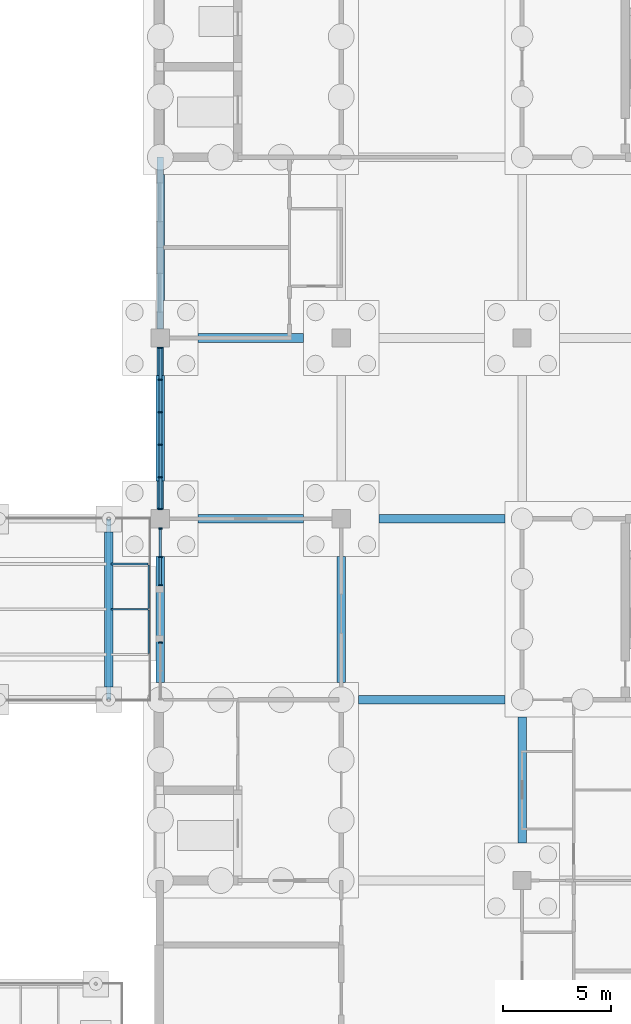
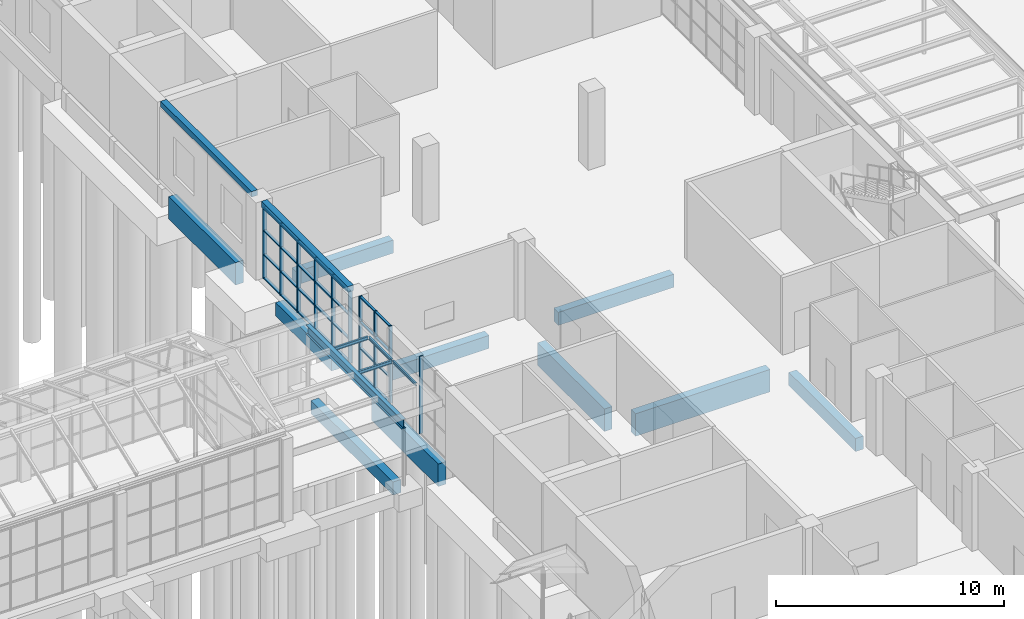
# One storey, part 68 of 138: 38 members, 17 beams, 3 elements without a shape of their own.
"""IFC4 building model written with IfcOpenShell, lengths in metres."""

from ifc_helpers import new_model, si_unit, direction, frame, origin, origin_2d, place, context, subcontext, project, spatial, rectangle, i_section, extrude, material, material_profile, profile_set, type_object, element, aggregate, save


model = new_model("IFC4")

# Units and contexts
model_context = context("Model", 3, precision=1e-05, world=origin(), true_north=direction((0.0, 1.0)))
body_context = subcontext(model_context, "Body", "Model", "MODEL_VIEW")
ifc_project = project(units=[si_unit("LENGTHUNIT", "METRE"), si_unit("AREAUNIT", "SQUARE_METRE"), si_unit("VOLUMEUNIT", "CUBIC_METRE"), si_unit("PLANEANGLEUNIT", "RADIAN"), si_unit("MASSUNIT", "GRAM", prefix="KILO")], contexts=[model_context])

# Site, building, storey
site_placement = place(None, origin())
site = spatial("IfcSite", under=ifc_project, at=site_placement, CompositionType="ELEMENT")
building_placement = place(site_placement, origin())
building = spatial("IfcBuilding", under=site, at=building_placement, Name="Yavir Park General Hospital", CompositionType="ELEMENT")
storey_placement = place(building_placement, origin())
storey = spatial("IfcBuildingStorey", under=building, at=storey_placement, Name="L00", CompositionType="ELEMENT", Elevation=0.0)

# Curtain wall, member
ifc_material_1 = material(Name="Aluminium curtain wall frame with insulated glazing", Category="aluminium")
curtain_wall_type_1 = type_object("IfcCurtainWallType", Name="Emergency walk-in glazing, 4140 high, 1400 module", PredefinedType="NOTDEFINED", material=ifc_material_1)
curtain_wall_1_placement = place(storey_placement, origin())
curtain_wall_1 = element("IfcCurtainWall", 1, at=curtain_wall_1_placement, inside=storey, type_object=curtain_wall_type_1, Name="CW5 L00-069", PredefinedType="NOTDEFINED")
ifc_material_2 = material(Name="Aluminium", Category="aluminium")
ifc_material_profile_1 = material_profile(ifc_material_2, rectangle(XDim=0.159912109375, YDim=0.06005859375, at=origin_2d()), Name="AL 60x160")
ifc_profile_set_1 = profile_set([ifc_material_profile_1], Name="Aluminium")
member_type_1 = type_object("IfcMemberType", Name="Emergency walk-in glazing, 4140 high mullion 60 x 160", PredefinedType="MULLION", material=ifc_profile_set_1)
member_1_placement = place(storey_placement, frame((142.800048828125, 53.0576171875, 0.0), z_axis=(0.0, 0.0, 1.0), x_axis=(-1.0, 0.0, 0.0)))
member_1 = element("IfcMember", 2, at=member_1_placement, type_object=member_type_1, Name="CW5 mullion 3", PredefinedType="MULLION", context=body_context, shape_type="SweptSolid", body=[
    extrude(rectangle(XDim=0.159912109375, YDim=0.06005859375, at=origin_2d()), origin(), (0.0, 0.0, 1.0), 4.139892578125),
])
aggregate(curtain_wall_1, [member_1])

# Curtain wall, members
curtain_wall_2_placement = place(storey_placement, origin())
curtain_wall_2 = element("IfcCurtainWall", 3, at=curtain_wall_2_placement, inside=storey, type_object=curtain_wall_type_1, Name="CW5 L00-070", PredefinedType="NOTDEFINED")
member_2_placement = place(storey_placement, frame((142.800048828125, 55.717529296875, 0.0), z_axis=(0.0, 0.0, 1.0), x_axis=(-1.0, 0.0, 0.0)))
member_2 = element("IfcMember", 4, at=member_2_placement, type_object=member_type_1, Name="CW5 mullion 1", PredefinedType="MULLION", context=body_context, shape_type="SweptSolid", body=[
    extrude(rectangle(XDim=0.159912109375, YDim=0.06005859375, at=origin_2d()), origin(), (0.0, 0.0, 1.0), 4.139892578125),
])
member_3_placement = place(storey_placement, frame((142.800048828125, 57.03125, 0.0), z_axis=(0.0, 0.0, 1.0), x_axis=(-1.0, 0.0, 0.0)))
member_3 = element("IfcMember", 5, at=member_3_placement, type_object=member_type_1, Name="CW5 mullion 2", PredefinedType="MULLION", context=body_context, shape_type="SweptSolid", body=[
    extrude(rectangle(XDim=0.159912109375, YDim=0.06005859375, at=origin_2d()), origin(), (0.0, 0.0, 1.0), 4.139892578125),
])
member_4_placement = place(storey_placement, frame((142.800048828125, 58.344970703125, 0.0), z_axis=(0.0, 0.0, 1.0), x_axis=(-1.0, 0.0, 0.0)))
member_4 = element("IfcMember", 6, at=member_4_placement, type_object=member_type_1, Name="CW5 mullion 3", PredefinedType="MULLION", context=body_context, shape_type="SweptSolid", body=[
    extrude(rectangle(XDim=0.159912109375, YDim=0.06005859375, at=origin_2d()), origin(), (0.0, 0.0, 1.0), 4.139892578125),
])
ifc_material_3 = material(Name="Aluminium", Category="aluminium")
ifc_material_profile_2 = material_profile(ifc_material_3, rectangle(XDim=0.1201171875, YDim=0.06005859375, at=origin_2d()), Name="AL 120x60")
ifc_profile_set_2 = profile_set([ifc_material_profile_2], Name="Aluminium")
member_type_2 = type_object("IfcMemberType", Name="Emergency walk-in glazing, 4140 high transom 60 x 120", PredefinedType="MULLION", material=ifc_profile_set_2)
member_5_placement = place(storey_placement, frame((142.800048828125, 55.74755859375, 0.030029296875), z_axis=(0.0, 1.0, 0.0), x_axis=(-1.0, 0.0, 0.0)))
member_5 = element("IfcMember", 7, at=member_5_placement, type_object=member_type_2, Name="CW5 transom 1.1", PredefinedType="MULLION", context=body_context, shape_type="SweptSolid", body=[
    extrude(rectangle(XDim=0.1201171875, YDim=0.06005859375, at=origin_2d()), origin(), (0.0, 0.0, 1.0), 1.253662109375),
])
member_6_placement = place(storey_placement, frame((142.800048828125, 55.74755859375, 1.3798828125), z_axis=(0.0, 1.0, 0.0), x_axis=(-1.0, 0.0, 0.0)))
member_6 = element("IfcMember", 8, at=member_6_placement, type_object=member_type_2, Name="CW5 transom 1.2", PredefinedType="MULLION", context=body_context, shape_type="SweptSolid", body=[
    extrude(rectangle(XDim=0.1201171875, YDim=0.06005859375, at=origin_2d()), origin(), (0.0, 0.0, 1.0), 1.253662109375),
])
member_7_placement = place(storey_placement, frame((142.800048828125, 55.74755859375, 2.760009765625), z_axis=(0.0, 1.0, 0.0), x_axis=(-1.0, 0.0, 0.0)))
member_7 = element("IfcMember", 9, at=member_7_placement, type_object=member_type_2, Name="CW5 transom 1.3", PredefinedType="MULLION", context=body_context, shape_type="SweptSolid", body=[
    extrude(rectangle(XDim=0.1201171875, YDim=0.06005859375, at=origin_2d()), origin(), (0.0, 0.0, 1.0), 1.253662109375),
])
member_8_placement = place(storey_placement, frame((142.800048828125, 55.74755859375, 4.110107421875), z_axis=(0.0, 1.0, 0.0), x_axis=(-1.0, 0.0, 0.0)))
member_8 = element("IfcMember", 10, at=member_8_placement, type_object=member_type_2, Name="CW5 transom 1.4", PredefinedType="MULLION", context=body_context, shape_type="SweptSolid", body=[
    extrude(rectangle(XDim=0.1201171875, YDim=0.06005859375, at=origin_2d()), origin(), (0.0, 0.0, 1.0), 1.253662109375),
])
member_9_placement = place(storey_placement, frame((142.800048828125, 57.061279296875, 0.030029296875), z_axis=(0.0, 1.0, 0.0), x_axis=(-1.0, 0.0, 0.0)))
member_9 = element("IfcMember", 11, at=member_9_placement, type_object=member_type_2, Name="CW5 transom 2.1", PredefinedType="MULLION", context=body_context, shape_type="SweptSolid", body=[
    extrude(rectangle(XDim=0.1201171875, YDim=0.06005859375, at=origin_2d()), origin(), (0.0, 0.0, 1.0), 1.253662109375),
])
member_10_placement = place(storey_placement, frame((142.800048828125, 57.061279296875, 1.3798828125), z_axis=(0.0, 1.0, 0.0), x_axis=(-1.0, 0.0, 0.0)))
member_10 = element("IfcMember", 12, at=member_10_placement, type_object=member_type_2, Name="CW5 transom 2.2", PredefinedType="MULLION", context=body_context, shape_type="SweptSolid", body=[
    extrude(rectangle(XDim=0.1201171875, YDim=0.06005859375, at=origin_2d()), origin(), (0.0, 0.0, 1.0), 1.253662109375),
])
member_11_placement = place(storey_placement, frame((142.800048828125, 57.061279296875, 2.760009765625), z_axis=(0.0, 1.0, 0.0), x_axis=(-1.0, 0.0, 0.0)))
member_11 = element("IfcMember", 13, at=member_11_placement, type_object=member_type_2, Name="CW5 transom 2.3", PredefinedType="MULLION", context=body_context, shape_type="SweptSolid", body=[
    extrude(rectangle(XDim=0.1201171875, YDim=0.06005859375, at=origin_2d()), origin(), (0.0, 0.0, 1.0), 1.253662109375),
])
member_12_placement = place(storey_placement, frame((142.800048828125, 57.061279296875, 4.110107421875), z_axis=(0.0, 1.0, 0.0), x_axis=(-1.0, 0.0, 0.0)))
member_12 = element("IfcMember", 14, at=member_12_placement, type_object=member_type_2, Name="CW5 transom 2.4", PredefinedType="MULLION", context=body_context, shape_type="SweptSolid", body=[
    extrude(rectangle(XDim=0.1201171875, YDim=0.06005859375, at=origin_2d()), origin(), (0.0, 0.0, 1.0), 1.253662109375),
])
aggregate(curtain_wall_2, [member_2, member_3, member_4, member_5, member_6, member_7, member_8, member_9, member_10, member_11, member_12])

# Beams
ifc_material_4 = material(Name="Steel S355", Category="steel")
ifc_material_profile_3 = material_profile(ifc_material_4, i_section(OverallWidth=0.08203125, OverallDepth=0.159912109375, WebThickness=0.0048828125, FlangeThickness=0.00732421875, FilletRadius=0.009033203125, at=origin_2d()), Name="IPE160")
ifc_profile_set_3 = profile_set([ifc_material_profile_3], Name="Steel S355")
beam_type_1 = type_object("IfcBeamType", Name="IPE 160 edge trimmer, up to 2.5 m span", PredefinedType="BEAM", material=ifc_profile_set_3)
beam_1_placement = place(storey_placement, frame((142.259033203125, 52.541015625, 3.1201171875), z_axis=(0.0, 1.0, 0.0), x_axis=(-1.0, 0.0, 0.0)))
element("IfcBeam", 15, at=beam_1_placement, inside=storey, type_object=beam_type_1, Name="B:EDW:T1", PredefinedType="BEAM", context=body_context, shape_type="SweptSolid", body=[
    extrude(i_section(OverallWidth=0.08203125, OverallDepth=0.159912109375, WebThickness=0.0048828125, FlangeThickness=0.00732421875, FilletRadius=0.009033203125, at=origin_2d()), origin(), (0.0, 0.0, 1.0), 2.01806640625),
])
beam_2_placement = place(storey_placement, frame((142.259033203125, 54.64111328125, 3.1201171875), z_axis=(0.0, 1.0, 0.0), x_axis=(-1.0, 0.0, 0.0)))
element("IfcBeam", 16, at=beam_2_placement, inside=storey, type_object=beam_type_1, Name="B:EDW:T2", PredefinedType="BEAM", context=body_context, shape_type="SweptSolid", body=[
    extrude(i_section(OverallWidth=0.08203125, OverallDepth=0.159912109375, WebThickness=0.0048828125, FlangeThickness=0.00732421875, FilletRadius=0.009033203125, at=origin_2d()), origin(), (0.0, 0.0, 1.0), 2.017822265625),
])
ifc_material_5 = material(Name="Steel S355", Category="steel")
ifc_material_profile_4 = material_profile(ifc_material_5, i_section(OverallWidth=0.091064453125, OverallDepth=0.179931640625, WebThickness=0.00537109375, FlangeThickness=0.008056640625, FilletRadius=0.009033203125, at=origin_2d()), Name="IPE180")
ifc_profile_set_4 = profile_set([ifc_material_profile_4], Name="Steel S355")
beam_type_2 = type_object("IfcBeamType", Name="IPE 180 cantilever secondary beam, up to 2 m", PredefinedType="JOIST", material=ifc_profile_set_4)
for number, where, z_axis, x_axis, name in (
    (17, (142.218017578125, 54.60009765625, 3.110107421875), (-1.0, 0.0, 0.0), (0.0, -1.0, 0.0), "B:EDW:J2-0"),
    (18, (142.218017578125, 56.699951171875, 3.110107421875), (-1.0, 0.0, 0.0), (0.0, -1.0, 0.0), "B:EDW:J3-0"),
):
    element("IfcBeam", number, at=place(storey_placement, frame(where, z_axis=z_axis, x_axis=x_axis)), inside=storey, type_object=beam_type_2, Name=name, PredefinedType="JOIST", context=body_context, shape_type="SweptSolid", body=[
        extrude(i_section(OverallWidth=0.091064453125, OverallDepth=0.179931640625, WebThickness=0.00537109375, FlangeThickness=0.008056640625, FilletRadius=0.009033203125, at=origin_2d()), origin(), (0.0, 0.0, 1.0), 1.718017578125),
    ])
ifc_material_6 = material(Name="Steel S355", Category="steel")
ifc_material_profile_5 = material_profile(ifc_material_6, i_section(OverallWidth=0.199951171875, OverallDepth=0.5, WebThickness=0.01025390625, FlangeThickness=0.01611328125, FilletRadius=0.02099609375, at=origin_2d()), Name="IPE500")
ifc_profile_set_5 = profile_set([ifc_material_profile_5], Name="Steel S355")
beam_type_3 = type_object("IfcBeamType", Name="IPE 500 main beam, inner row, up to 8.5 m span", PredefinedType="BEAM", material=ifc_profile_set_5)
beam_3_placement = place(storey_placement, frame((140.39990234375, 50.39990234375, 2.949951171875), z_axis=(0.0, 1.0, 0.0), x_axis=(-1.0, 0.0, 0.0)))
element("IfcBeam", 19, at=beam_3_placement, inside=storey, type_object=beam_type_3, Name="B:EDW:M00", PredefinedType="BEAM", context=body_context, shape_type="SweptSolid", body=[
    extrude(i_section(OverallWidth=0.199951171875, OverallDepth=0.5, WebThickness=0.01025390625, FlangeThickness=0.01611328125, FilletRadius=0.02099609375, at=origin_2d()), origin(), (0.0, 0.0, 1.0), 8.400146484375),
])
ifc_material_7 = material(Name="Concrete C35/45", Category="concrete")
ifc_material_profile_6 = material_profile(ifc_material_7, rectangle(XDim=0.300048828125, YDim=0.300048828125, at=origin_2d()), Name="RC300x300")
ifc_profile_set_6 = profile_set([ifc_material_profile_6], Name="Concrete C35/45")
beam_type_4 = type_object("IfcBeamType", Name="RC BEAM 300x300 edge beam", PredefinedType="BEAM", material=ifc_profile_set_6)
beam_4_placement = place(storey_placement, frame((142.800048828125, 59.22509765625, 3.989990234375), z_axis=(0.0, 1.0, 0.0), x_axis=(-1.0, 0.0, 0.0)))
element("IfcBeam", 20, at=beam_4_placement, inside=storey, type_object=beam_type_4, Name="B:EDGE:L00:047", PredefinedType="BEAM", context=body_context, shape_type="SweptSolid", body=[
    extrude(rectangle(XDim=0.300048828125, YDim=0.300048828125, at=origin_2d()), origin(), (0.0, 0.0, 1.0), 7.5498046875),
])
beam_5_placement = place(storey_placement, frame((142.800048828125, 67.625, 3.989990234375), z_axis=(0.0, 1.0, 0.0), x_axis=(-1.0, 0.0, 0.0)))
element("IfcBeam", 21, at=beam_5_placement, inside=storey, type_object=beam_type_4, Name="B:EDGE:L00:048", PredefinedType="BEAM", context=body_context, shape_type="SweptSolid", body=[
    extrude(rectangle(XDim=0.300048828125, YDim=0.300048828125, at=origin_2d()), origin(), (0.0, 0.0, 1.0), 7.97509765625),
])
ifc_material_8 = material(Name="Concrete C35/45", Category="concrete")
ifc_material_profile_7 = material_profile(ifc_material_8, rectangle(XDim=0.39990234375, YDim=1.199951171875, at=origin_2d()), Name="RC400x1200")
ifc_profile_set_7 = profile_set([ifc_material_profile_7], Name="Concrete C35/45")
beam_type_5 = type_object("IfcBeamType", Name="RC BEAM 400x1200 ground beam", PredefinedType="BEAM", material=ifc_profile_set_7)
beam_6_placement = place(storey_placement, frame((152.0, 50.39990234375, -1.050048828125), z_axis=(1.0, 0.0, 0.0), x_axis=(0.0, 1.0, 0.0)))
element("IfcBeam", 22, at=beam_6_placement, inside=storey, type_object=beam_type_5, Name="B:GND:L00:EDL:L00:ES1", PredefinedType="BEAM", context=body_context, shape_type="SweptSolid", body=[
    extrude(rectangle(XDim=0.39990234375, YDim=1.199951171875, at=origin_2d()), origin(), (0.0, 0.0, 1.0), 6.800048828125),
])
for number, where, z_axis, x_axis, name in (
    (23, (142.800048828125, 68.949951171875, -1.050048828125), (0.0, 1.0, 0.0), (-1.0, 0.0, 0.0), "B:GND:L00:18J:L00:HL"),
    (24, (142.800048828125, 51.199951171875, -1.050048828125), (0.0, 1.0, 0.0), (-1.0, 0.0, 0.0), "B:GND:L00:EDL:L00:18H"),
    (25, (151.199951171875, 51.199951171875, -1.050048828125), (0.0, 1.0, 0.0), (-1.0, 0.0, 0.0), "B:GND:L00:EDL:L00:19H"),
):
    element("IfcBeam", number, at=place(storey_placement, frame(where, z_axis=z_axis, x_axis=x_axis)), inside=storey, type_object=beam_type_5, Name=name, PredefinedType="BEAM", context=body_context, shape_type="SweptSolid", body=[
        extrude(rectangle(XDim=0.39990234375, YDim=1.199951171875, at=origin_2d()), origin(), (0.0, 0.0, 1.0), 5.85009765625),
    ])
ifc_material_9 = material(Name="Concrete C35/45", Category="concrete")
ifc_material_profile_8 = material_profile(ifc_material_9, rectangle(XDim=0.39990234375, YDim=0.699951171875, at=origin_2d()), Name="RC400x700")
ifc_profile_set_8 = profile_set([ifc_material_profile_8], Name="Concrete C35/45")
beam_type_6 = type_object("IfcBeamType", Name="RC BEAM 400x700 ground beam", PredefinedType="BEAM", material=ifc_profile_set_8)
for number, where, z_axis, x_axis, name in (
    (26, (144.550048828125, 58.800048828125, -0.800048828125), (1.0, 0.0, 0.0), (0.0, 1.0, 0.0), "B:GND:L00:18H:L00:19H"),
    (27, (144.550048828125, 67.199951171875, -0.800048828125), (1.0, 0.0, 0.0), (0.0, 1.0, 0.0), "B:GND:L00:18J:L00:19J"),
):
    element("IfcBeam", number, at=place(storey_placement, frame(where, z_axis=z_axis, x_axis=x_axis)), inside=storey, type_object=beam_type_6, Name=name, PredefinedType="BEAM", context=body_context, shape_type="SweptSolid", body=[
        extrude(rectangle(XDim=0.39990234375, YDim=0.699951171875, at=origin_2d()), origin(), (0.0, 0.0, 1.0), 4.89990234375),
    ])
beam_7_placement = place(storey_placement, frame((152.949951171875, 58.800048828125, -0.800048828125), z_axis=(1.0, 0.0, 0.0), x_axis=(0.0, 1.0, 0.0)))
element("IfcBeam", 28, at=beam_7_placement, inside=storey, type_object=beam_type_6, Name="B:GND:L00:19H:L00:ES1", PredefinedType="BEAM", context=body_context, shape_type="SweptSolid", body=[
    extrude(rectangle(XDim=0.39990234375, YDim=0.699951171875, at=origin_2d()), origin(), (0.0, 0.0, 1.0), 5.85009765625),
])
beam_8_placement = place(storey_placement, frame((140.39990234375, 51.0, -0.800048828125), z_axis=(0.0, 1.0, 0.0), x_axis=(-1.0, 0.0, 0.0)))
element("IfcBeam", 29, at=beam_8_placement, inside=storey, type_object=beam_type_6, Name="B:GND:EDW:C00:EDW:C01", PredefinedType="BEAM", context=body_context, shape_type="SweptSolid", body=[
    extrude(rectangle(XDim=0.39990234375, YDim=0.699951171875, at=origin_2d()), origin(), (0.0, 0.0, 1.0), 7.199951171875),
])
beam_9_placement = place(storey_placement, frame((142.800048828125, 60.550048828125, -0.800048828125), z_axis=(0.0, 1.0, 0.0), x_axis=(-1.0, 0.0, 0.0)))
element("IfcBeam", 30, at=beam_9_placement, inside=storey, type_object=beam_type_6, Name="B:GND:L00:18H:L00:18J", PredefinedType="BEAM", context=body_context, shape_type="SweptSolid", body=[
    extrude(rectangle(XDim=0.39990234375, YDim=0.699951171875, at=origin_2d()), origin(), (0.0, 0.0, 1.0), 4.89990234375),
])
beam_10_placement = place(storey_placement, frame((159.60009765625, 43.75, -0.800048828125), z_axis=(0.0, 1.0, 0.0), x_axis=(-1.0, 0.0, 0.0)))
element("IfcBeam", 31, at=beam_10_placement, inside=storey, type_object=beam_type_6, Name="B:GND:L00:20F:L00:ES1", PredefinedType="BEAM", context=body_context, shape_type="SweptSolid", body=[
    extrude(rectangle(XDim=0.39990234375, YDim=0.699951171875, at=origin_2d()), origin(), (0.0, 0.0, 1.0), 5.85009765625),
])

# Curtain wall, members
ifc_material_10 = material(Name="Aluminium curtain wall frame with insulated glazing", Category="aluminium")
curtain_wall_type_2 = type_object("IfcCurtainWallType", Name="Reception glazing, 3840 high, 1400 module", PredefinedType="NOTDEFINED", material=ifc_material_10)
curtain_wall_3_placement = place(storey_placement, origin())
curtain_wall_3 = element("IfcCurtainWall", 32, at=curtain_wall_3_placement, inside=storey, type_object=curtain_wall_type_2, Name="CW8 L00-071", PredefinedType="NOTDEFINED")
ifc_material_11 = material(Name="Aluminium", Category="aluminium")
ifc_material_profile_9 = material_profile(ifc_material_11, rectangle(XDim=0.179931640625, YDim=0.06005859375, at=origin_2d()), Name="AL 60x180")
ifc_profile_set_9 = profile_set([ifc_material_profile_9], Name="Aluminium")
member_type_3 = type_object("IfcMemberType", Name="Reception glazing, 3840 high mullion 60 x 180", PredefinedType="MULLION", material=ifc_profile_set_9)
member_13_placement = place(storey_placement, frame((142.800048828125, 59.2548828125, 0.0), z_axis=(0.0, 0.0, 1.0), x_axis=(-1.0, 0.0, 0.0)))
member_13 = element("IfcMember", 33, at=member_13_placement, type_object=member_type_3, Name="CW8 mullion 1", PredefinedType="MULLION", context=body_context, shape_type="SweptSolid", body=[
    extrude(rectangle(XDim=0.179931640625, YDim=0.06005859375, at=origin_2d()), origin(), (0.0, 0.0, 1.0), 3.840087890625),
])
member_14_placement = place(storey_placement, frame((142.800048828125, 60.735107421875, 0.0), z_axis=(0.0, 0.0, 1.0), x_axis=(-1.0, 0.0, 0.0)))
member_14 = element("IfcMember", 34, at=member_14_placement, type_object=member_type_3, Name="CW8 mullion 2", PredefinedType="MULLION", context=body_context, shape_type="SweptSolid", body=[
    extrude(rectangle(XDim=0.179931640625, YDim=0.06005859375, at=origin_2d()), origin(), (0.0, 0.0, 1.0), 3.840087890625),
])
member_15_placement = place(storey_placement, frame((142.800048828125, 62.2451171875, 0.0), z_axis=(0.0, 0.0, 1.0), x_axis=(-1.0, 0.0, 0.0)))
member_15 = element("IfcMember", 35, at=member_15_placement, type_object=member_type_3, Name="CW8 mullion 3", PredefinedType="MULLION", context=body_context, shape_type="SweptSolid", body=[
    extrude(rectangle(XDim=0.179931640625, YDim=0.06005859375, at=origin_2d()), origin(), (0.0, 0.0, 1.0), 3.840087890625),
])
member_16_placement = place(storey_placement, frame((142.800048828125, 63.7548828125, 0.0), z_axis=(0.0, 0.0, 1.0), x_axis=(-1.0, 0.0, 0.0)))
member_16 = element("IfcMember", 36, at=member_16_placement, type_object=member_type_3, Name="CW8 mullion 4", PredefinedType="MULLION", context=body_context, shape_type="SweptSolid", body=[
    extrude(rectangle(XDim=0.179931640625, YDim=0.06005859375, at=origin_2d()), origin(), (0.0, 0.0, 1.0), 3.840087890625),
])
member_17_placement = place(storey_placement, frame((142.800048828125, 65.264892578125, 0.0), z_axis=(0.0, 0.0, 1.0), x_axis=(-1.0, 0.0, 0.0)))
member_17 = element("IfcMember", 37, at=member_17_placement, type_object=member_type_3, Name="CW8 mullion 5", PredefinedType="MULLION", context=body_context, shape_type="SweptSolid", body=[
    extrude(rectangle(XDim=0.179931640625, YDim=0.06005859375, at=origin_2d()), origin(), (0.0, 0.0, 1.0), 3.840087890625),
])
member_18_placement = place(storey_placement, frame((142.800048828125, 66.7451171875, 0.0), z_axis=(0.0, 0.0, 1.0), x_axis=(-1.0, 0.0, 0.0)))
member_18 = element("IfcMember", 38, at=member_18_placement, type_object=member_type_3, Name="CW8 mullion 6", PredefinedType="MULLION", context=body_context, shape_type="SweptSolid", body=[
    extrude(rectangle(XDim=0.179931640625, YDim=0.06005859375, at=origin_2d()), origin(), (0.0, 0.0, 1.0), 3.840087890625),
])
ifc_material_12 = material(Name="Aluminium", Category="aluminium")
ifc_material_profile_10 = material_profile(ifc_material_12, rectangle(XDim=0.139892578125, YDim=0.06005859375, at=origin_2d()), Name="AL 140x60")
ifc_profile_set_10 = profile_set([ifc_material_profile_10], Name="Aluminium")
member_type_4 = type_object("IfcMemberType", Name="Reception glazing, 3840 high transom 60 x 140", PredefinedType="MULLION", material=ifc_profile_set_10)
member_19_placement = place(storey_placement, frame((142.800048828125, 59.284912109375, 0.030029296875), z_axis=(0.0, 1.0, 0.0), x_axis=(-1.0, 0.0, 0.0)))
member_19 = element("IfcMember", 39, at=member_19_placement, type_object=member_type_4, Name="CW8 transom 1.1", PredefinedType="MULLION", context=body_context, shape_type="SweptSolid", body=[
    extrude(rectangle(XDim=0.139892578125, YDim=0.06005859375, at=origin_2d()), origin(), (0.0, 0.0, 1.0), 1.420166015625),
])
member_20_placement = place(storey_placement, frame((142.800048828125, 59.284912109375, 1.280029296875), z_axis=(0.0, 1.0, 0.0), x_axis=(-1.0, 0.0, 0.0)))
member_20 = element("IfcMember", 40, at=member_20_placement, type_object=member_type_4, Name="CW8 transom 1.2", PredefinedType="MULLION", context=body_context, shape_type="SweptSolid", body=[
    extrude(rectangle(XDim=0.139892578125, YDim=0.06005859375, at=origin_2d()), origin(), (0.0, 0.0, 1.0), 1.420166015625),
])
member_21_placement = place(storey_placement, frame((142.800048828125, 59.284912109375, 2.56005859375), z_axis=(0.0, 1.0, 0.0), x_axis=(-1.0, 0.0, 0.0)))
member_21 = element("IfcMember", 41, at=member_21_placement, type_object=member_type_4, Name="CW8 transom 1.3", PredefinedType="MULLION", context=body_context, shape_type="SweptSolid", body=[
    extrude(rectangle(XDim=0.139892578125, YDim=0.06005859375, at=origin_2d()), origin(), (0.0, 0.0, 1.0), 1.420166015625),
])
member_22_placement = place(storey_placement, frame((142.800048828125, 59.284912109375, 3.81005859375), z_axis=(0.0, 1.0, 0.0), x_axis=(-1.0, 0.0, 0.0)))
member_22 = element("IfcMember", 42, at=member_22_placement, type_object=member_type_4, Name="CW8 transom 1.4", PredefinedType="MULLION", context=body_context, shape_type="SweptSolid", body=[
    extrude(rectangle(XDim=0.139892578125, YDim=0.06005859375, at=origin_2d()), origin(), (0.0, 0.0, 1.0), 1.420166015625),
])
member_23_placement = place(storey_placement, frame((142.800048828125, 60.764892578125, 0.030029296875), z_axis=(0.0, 1.0, 0.0), x_axis=(-1.0, 0.0, 0.0)))
member_23 = element("IfcMember", 43, at=member_23_placement, type_object=member_type_4, Name="CW8 transom 2.1", PredefinedType="MULLION", context=body_context, shape_type="SweptSolid", body=[
    extrude(rectangle(XDim=0.139892578125, YDim=0.06005859375, at=origin_2d()), origin(), (0.0, 0.0, 1.0), 1.4501953125),
])
member_24_placement = place(storey_placement, frame((142.800048828125, 60.764892578125, 1.280029296875), z_axis=(0.0, 1.0, 0.0), x_axis=(-1.0, 0.0, 0.0)))
member_24 = element("IfcMember", 44, at=member_24_placement, type_object=member_type_4, Name="CW8 transom 2.2", PredefinedType="MULLION", context=body_context, shape_type="SweptSolid", body=[
    extrude(rectangle(XDim=0.139892578125, YDim=0.06005859375, at=origin_2d()), origin(), (0.0, 0.0, 1.0), 1.4501953125),
])
member_25_placement = place(storey_placement, frame((142.800048828125, 60.764892578125, 2.56005859375), z_axis=(0.0, 1.0, 0.0), x_axis=(-1.0, 0.0, 0.0)))
member_25 = element("IfcMember", 45, at=member_25_placement, type_object=member_type_4, Name="CW8 transom 2.3", PredefinedType="MULLION", context=body_context, shape_type="SweptSolid", body=[
    extrude(rectangle(XDim=0.139892578125, YDim=0.06005859375, at=origin_2d()), origin(), (0.0, 0.0, 1.0), 1.4501953125),
])
member_26_placement = place(storey_placement, frame((142.800048828125, 60.764892578125, 3.81005859375), z_axis=(0.0, 1.0, 0.0), x_axis=(-1.0, 0.0, 0.0)))
member_26 = element("IfcMember", 46, at=member_26_placement, type_object=member_type_4, Name="CW8 transom 2.4", PredefinedType="MULLION", context=body_context, shape_type="SweptSolid", body=[
    extrude(rectangle(XDim=0.139892578125, YDim=0.06005859375, at=origin_2d()), origin(), (0.0, 0.0, 1.0), 1.4501953125),
])
member_27_placement = place(storey_placement, frame((142.800048828125, 62.27490234375, 0.030029296875), z_axis=(0.0, 1.0, 0.0), x_axis=(-1.0, 0.0, 0.0)))
member_27 = element("IfcMember", 47, at=member_27_placement, type_object=member_type_4, Name="CW8 transom 3.1", PredefinedType="MULLION", context=body_context, shape_type="SweptSolid", body=[
    extrude(rectangle(XDim=0.139892578125, YDim=0.06005859375, at=origin_2d()), origin(), (0.0, 0.0, 1.0), 1.4501953125),
])
member_28_placement = place(storey_placement, frame((142.800048828125, 62.27490234375, 1.280029296875), z_axis=(0.0, 1.0, 0.0), x_axis=(-1.0, 0.0, 0.0)))
member_28 = element("IfcMember", 48, at=member_28_placement, type_object=member_type_4, Name="CW8 transom 3.2", PredefinedType="MULLION", context=body_context, shape_type="SweptSolid", body=[
    extrude(rectangle(XDim=0.139892578125, YDim=0.06005859375, at=origin_2d()), origin(), (0.0, 0.0, 1.0), 1.4501953125),
])
member_29_placement = place(storey_placement, frame((142.800048828125, 62.27490234375, 2.56005859375), z_axis=(0.0, 1.0, 0.0), x_axis=(-1.0, 0.0, 0.0)))
member_29 = element("IfcMember", 49, at=member_29_placement, type_object=member_type_4, Name="CW8 transom 3.3", PredefinedType="MULLION", context=body_context, shape_type="SweptSolid", body=[
    extrude(rectangle(XDim=0.139892578125, YDim=0.06005859375, at=origin_2d()), origin(), (0.0, 0.0, 1.0), 1.4501953125),
])
member_30_placement = place(storey_placement, frame((142.800048828125, 62.27490234375, 3.81005859375), z_axis=(0.0, 1.0, 0.0), x_axis=(-1.0, 0.0, 0.0)))
member_30 = element("IfcMember", 50, at=member_30_placement, type_object=member_type_4, Name="CW8 transom 3.4", PredefinedType="MULLION", context=body_context, shape_type="SweptSolid", body=[
    extrude(rectangle(XDim=0.139892578125, YDim=0.06005859375, at=origin_2d()), origin(), (0.0, 0.0, 1.0), 1.4501953125),
])
member_31_placement = place(storey_placement, frame((142.800048828125, 63.784912109375, 0.030029296875), z_axis=(0.0, 1.0, 0.0), x_axis=(-1.0, 0.0, 0.0)))
member_31 = element("IfcMember", 51, at=member_31_placement, type_object=member_type_4, Name="CW8 transom 4.1", PredefinedType="MULLION", context=body_context, shape_type="SweptSolid", body=[
    extrude(rectangle(XDim=0.139892578125, YDim=0.06005859375, at=origin_2d()), origin(), (0.0, 0.0, 1.0), 1.4501953125),
])
member_32_placement = place(storey_placement, frame((142.800048828125, 63.784912109375, 1.280029296875), z_axis=(0.0, 1.0, 0.0), x_axis=(-1.0, 0.0, 0.0)))
member_32 = element("IfcMember", 52, at=member_32_placement, type_object=member_type_4, Name="CW8 transom 4.2", PredefinedType="MULLION", context=body_context, shape_type="SweptSolid", body=[
    extrude(rectangle(XDim=0.139892578125, YDim=0.06005859375, at=origin_2d()), origin(), (0.0, 0.0, 1.0), 1.4501953125),
])
member_33_placement = place(storey_placement, frame((142.800048828125, 63.784912109375, 2.56005859375), z_axis=(0.0, 1.0, 0.0), x_axis=(-1.0, 0.0, 0.0)))
member_33 = element("IfcMember", 53, at=member_33_placement, type_object=member_type_4, Name="CW8 transom 4.3", PredefinedType="MULLION", context=body_context, shape_type="SweptSolid", body=[
    extrude(rectangle(XDim=0.139892578125, YDim=0.06005859375, at=origin_2d()), origin(), (0.0, 0.0, 1.0), 1.4501953125),
])
member_34_placement = place(storey_placement, frame((142.800048828125, 63.784912109375, 3.81005859375), z_axis=(0.0, 1.0, 0.0), x_axis=(-1.0, 0.0, 0.0)))
member_34 = element("IfcMember", 54, at=member_34_placement, type_object=member_type_4, Name="CW8 transom 4.4", PredefinedType="MULLION", context=body_context, shape_type="SweptSolid", body=[
    extrude(rectangle(XDim=0.139892578125, YDim=0.06005859375, at=origin_2d()), origin(), (0.0, 0.0, 1.0), 1.4501953125),
])
member_35_placement = place(storey_placement, frame((142.800048828125, 65.294921875, 0.030029296875), z_axis=(0.0, 1.0, 0.0), x_axis=(-1.0, 0.0, 0.0)))
member_35 = element("IfcMember", 55, at=member_35_placement, type_object=member_type_4, Name="CW8 transom 5.1", PredefinedType="MULLION", context=body_context, shape_type="SweptSolid", body=[
    extrude(rectangle(XDim=0.139892578125, YDim=0.06005859375, at=origin_2d()), origin(), (0.0, 0.0, 1.0), 1.420166015625),
])
member_36_placement = place(storey_placement, frame((142.800048828125, 65.294921875, 1.280029296875), z_axis=(0.0, 1.0, 0.0), x_axis=(-1.0, 0.0, 0.0)))
member_36 = element("IfcMember", 56, at=member_36_placement, type_object=member_type_4, Name="CW8 transom 5.2", PredefinedType="MULLION", context=body_context, shape_type="SweptSolid", body=[
    extrude(rectangle(XDim=0.139892578125, YDim=0.06005859375, at=origin_2d()), origin(), (0.0, 0.0, 1.0), 1.420166015625),
])
member_37_placement = place(storey_placement, frame((142.800048828125, 65.294921875, 2.56005859375), z_axis=(0.0, 1.0, 0.0), x_axis=(-1.0, 0.0, 0.0)))
member_37 = element("IfcMember", 57, at=member_37_placement, type_object=member_type_4, Name="CW8 transom 5.3", PredefinedType="MULLION", context=body_context, shape_type="SweptSolid", body=[
    extrude(rectangle(XDim=0.139892578125, YDim=0.06005859375, at=origin_2d()), origin(), (0.0, 0.0, 1.0), 1.420166015625),
])
member_38_placement = place(storey_placement, frame((142.800048828125, 65.294921875, 3.81005859375), z_axis=(0.0, 1.0, 0.0), x_axis=(-1.0, 0.0, 0.0)))
member_38 = element("IfcMember", 58, at=member_38_placement, type_object=member_type_4, Name="CW8 transom 5.4", PredefinedType="MULLION", context=body_context, shape_type="SweptSolid", body=[
    extrude(rectangle(XDim=0.139892578125, YDim=0.06005859375, at=origin_2d()), origin(), (0.0, 0.0, 1.0), 1.420166015625),
])
aggregate(curtain_wall_3, [member_13, member_14, member_15, member_16, member_17, member_18, member_19, member_20, member_21, member_22, member_23, member_24, member_25, member_26, member_27, member_28, member_29, member_30, member_31, member_32, member_33, member_34, member_35, member_36, member_37, member_38])

save(model, "model.ifc")
